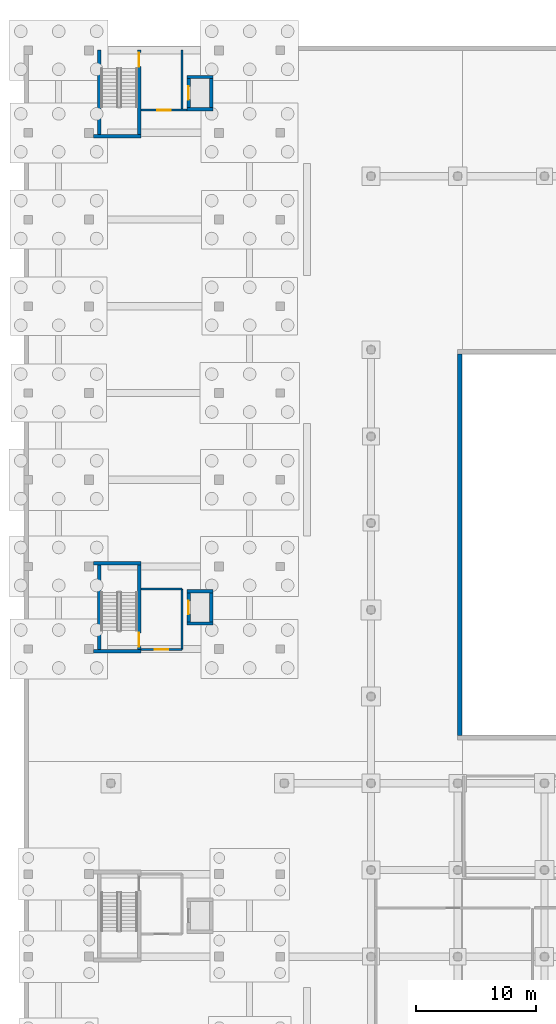
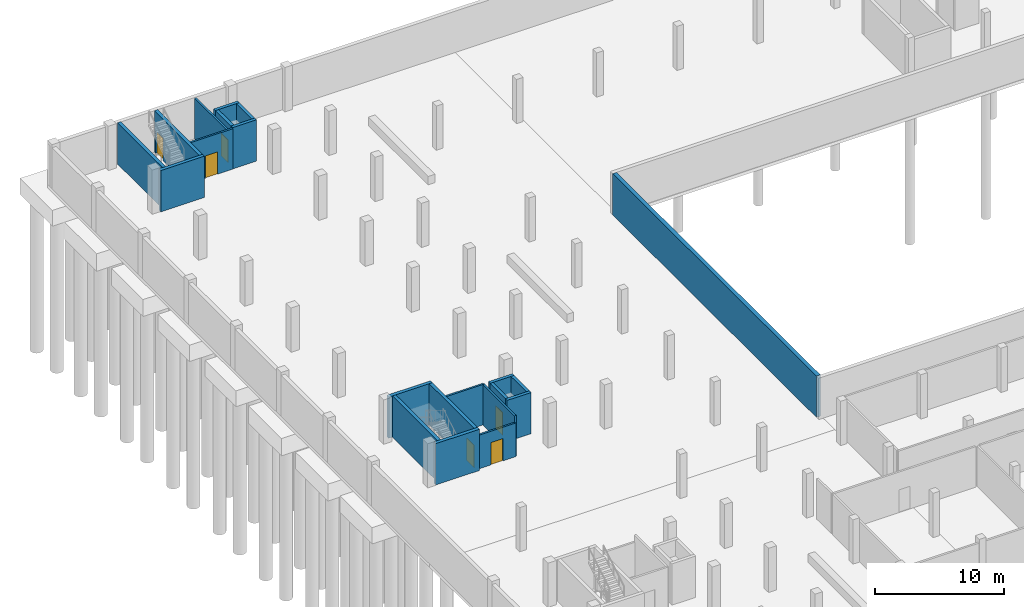
# One storey, part 22 of 36: 21 walls, 6 doors, 6 openings.
"""IFC4 building model written with IfcOpenShell, lengths in metres."""

import ifcopenshell
import ifcopenshell.guid

model = None  # the IFC model being written
_history = None  # IfcOwnerHistory: only IFC2X3 demands one
_inside = {}  # id of a spatial element -> (the spatial element, [elements in it])
_under = {}  # id of a project, library or spatial element -> (it, [spatial elements below it])
_declared = {}  # id of a project -> (the project, [libraries it declares])
_typed = {}  # id of a type object -> (the type object, [elements of that type])
_made_of = {}  # id of a material, layer set ... -> (it, [elements and type objects made of it])


def new_model(schema):
    """Start an empty IFC model of exactly this schema.

    Asked for "IFC4X3", IfcOpenShell would pick the latest addendum, in which some entities
    have other attributes; the version numbers below select the first issue.
    IFC2X3 requires an IfcOwnerHistory on every rooted entity: one is made here for all.
    """
    global model, _history
    if schema == "IFC4X3":
        model = ifcopenshell.file(schema_version=(4, 3, 0, 0))
    else:
        model = ifcopenshell.file(schema=schema)
    _inside.clear()
    _under.clear()
    _declared.clear()
    _typed.clear()
    _made_of.clear()
    _history = None
    if model.schema == "IFC2X3":
        org = make("IfcOrganization", Name="unknown")
        user = make(
            "IfcPersonAndOrganization",
            ThePerson=make("IfcPerson", FamilyName="unknown"),
            TheOrganization=org,
        )
        app = make(
            "IfcApplication",
            ApplicationDeveloper=org,
            Version="unknown",
            ApplicationFullName="unknown",
            ApplicationIdentifier="unknown",
        )
        _history = make(
            "IfcOwnerHistory",
            OwningUser=user,
            OwningApplication=app,
            ChangeAction="ADDED",
            CreationDate=0,
        )
    return model


def make(cls, **values):
    """One entity of the class cls with the attributes given. An attribute that is None is left unset."""
    return model.create_entity(
        cls, **{name: value for name, value in values.items() if value is not None}
    )


def rooted(cls, **values):
    """An entity with a GlobalId (a new one), such as an element, a storey or a relation."""
    return make(cls, GlobalId=ifcopenshell.guid.new(), OwnerHistory=_history, **values)


def si_unit(unit_type, name, prefix=None):
    """IfcSIUnit, for example si_unit("LENGTHUNIT", "METRE", prefix="MILLI")."""
    return make("IfcSIUnit", UnitType=unit_type, Prefix=prefix, Name=name)


def derived_unit(unit_type, elements):
    """IfcDerivedUnit: a product of units, each with its exponent."""
    return make(
        "IfcDerivedUnit",
        Elements=[
            make("IfcDerivedUnitElement", Unit=unit, Exponent=power)
            for unit, power in elements
        ],
        UnitType=unit_type,
    )


def assignment(units):
    """IfcUnitAssignment: the units of a project."""
    return None if units is None else make("IfcUnitAssignment", Units=units)


def point(xyz):
    """IfcCartesianPoint."""
    return None if xyz is None else make("IfcCartesianPoint", Coordinates=xyz)


def direction(xyz):
    """IfcDirection."""
    return None if xyz is None else make("IfcDirection", DirectionRatios=xyz)


def frame(location, z_axis=None, x_axis=None):
    """IfcAxis2Placement3D, a coordinate frame: its origin and axes. An axis left out is left unset."""
    return make(
        "IfcAxis2Placement3D",
        Location=point(location),
        Axis=direction(z_axis),
        RefDirection=direction(x_axis),
    )


def frame_2d(location, x_axis=None):
    """IfcAxis2Placement2D, a coordinate frame in the plane: its origin and x axis."""
    return make(
        "IfcAxis2Placement2D", Location=point(location), RefDirection=direction(x_axis)
    )


def origin():
    """The frame at (0, 0, 0) with its axes left unset."""
    return frame((0.0, 0.0, 0.0))


def place(relative_to, where):
    """IfcLocalPlacement: puts the frame where relative to a parent placement (None: the world)."""
    return make(
        "IfcLocalPlacement", PlacementRelTo=relative_to, RelativePlacement=where
    )


def context(
    kind, dimensions, precision=None, world=None, true_north=None, identifier=None
):
    """IfcGeometricRepresentationContext, for example the 3D "Model" context."""
    return make(
        "IfcGeometricRepresentationContext",
        ContextIdentifier=identifier,
        ContextType=kind,
        CoordinateSpaceDimension=dimensions,
        Precision=precision,
        WorldCoordinateSystem=world,
        TrueNorth=true_north,
    )


def subcontext(parent, identifier, kind, view, scale=None):
    """IfcGeometricRepresentationSubContext, for example "Body" below "Model"."""
    return make(
        "IfcGeometricRepresentationSubContext",
        ContextIdentifier=identifier,
        ContextType=kind,
        ParentContext=parent,
        TargetScale=scale,
        TargetView=view,
    )


def project(units=None, contexts=None):
    """IfcProject with its units and contexts."""
    return rooted(
        "IfcProject",
        Name="project",
        RepresentationContexts=contexts,
        UnitsInContext=assignment(units),
    )


def spatial(cls, under=None, at=None, **own):
    """A site, building, storey or space (cls), placed at a placement, below another one or the project."""
    s = rooted(cls, ObjectPlacement=at, **own)
    if under is not None:
        _under.setdefault(under.id(), (under, []))[1].append(s)
    return s


def profile(cls, at=None, kind="AREA", **sizes):
    """A parametric profile (cls). Its sizes go by their IFC names, for example OverallWidth=200.0."""
    return make(cls, ProfileType=kind, Position=at, **sizes)


def rectangle(**sizes):
    """IfcRectangleProfileDef."""
    return profile("IfcRectangleProfileDef", **sizes)


def extrude(swept, where, along, depth):
    """IfcExtrudedAreaSolid: the profile swept, set in the frame where, extruded along a direction by depth."""
    return make(
        "IfcExtrudedAreaSolid",
        SweptArea=swept,
        Position=where,
        ExtrudedDirection=direction(along),
        Depth=depth,
    )


def shape(context_of_items, identifier, shape_type, items):
    """IfcShapeRepresentation: the items that make up one representation, for example the "Body"."""
    return make(
        "IfcShapeRepresentation",
        ContextOfItems=context_of_items,
        RepresentationIdentifier=identifier,
        RepresentationType=shape_type,
        Items=items,
    )


def material(Name=None, Category=None):
    """IfcMaterial."""
    return make("IfcMaterial", Name=Name, Category=Category)


def layer(
    of_material, thickness, ventilated=None, Name=None, Category=None, Priority=None
):
    """IfcMaterialLayer: one layer of a wall or slab, of a material (None: an air gap)."""
    return make(
        "IfcMaterialLayer",
        Material=of_material,
        LayerThickness=thickness,
        IsVentilated=ventilated,
        Name=Name,
        Category=Category,
        Priority=Priority,
    )


def layer_set(layers, Name=None):
    """IfcMaterialLayerSet."""
    return make("IfcMaterialLayerSet", MaterialLayers=layers, LayerSetName=Name)


def made_of(thing, what):
    """Note that an element or type object is made of a material, layer set ...; save() writes the relation."""
    if what is not None:
        _made_of.setdefault(what.id(), (what, []))[1].append(thing)
    return thing


def type_object(cls, material=None, **own):
    """A type object (cls), such as IfcWallType, which elements share."""
    return made_of(rooted(cls, **own), material)


def element(
    cls,
    number,
    at=None,
    inside=None,
    cuts=None,
    type_object=None,
    material=None,
    context=None,
    identifier="Body",
    shape_type=None,
    held_by="IfcProductDefinitionShape",
    body=None,
    shapes=None,
    **own,
):
    """One element of the class cls, such as IfcWall. Its Tag is "e" and its number.

    at: its placement. inside: the storey or other place that contains it. cuts: it is an
    opening in that element (IfcRelVoidsElement). A single representation is given by context,
    identifier, shape_type and body (its items); several are given by shapes. held_by: the class
    of the entity that holds the representations. save() writes the other relations.
    """
    e = rooted(cls, Tag="e%d" % number, ObjectPlacement=at, **own)
    if body is not None:
        shapes = [shape(context, identifier, shape_type, body)]
    if shapes is not None:
        e.Representation = make(held_by, Representations=shapes)
    if inside is not None:
        _inside.setdefault(inside.id(), (inside, []))[1].append(e)
    if cuts is not None:
        rooted(
            "IfcRelVoidsElement", RelatingBuildingElement=cuts, RelatedOpeningElement=e
        )
    if type_object is not None:
        _typed.setdefault(type_object.id(), (type_object, []))[1].append(e)
    return made_of(e, material)


def fill(opening, filler):
    """IfcRelFillsElement: the door or window that sits in an opening."""
    return rooted(
        "IfcRelFillsElement",
        RelatingOpeningElement=opening,
        RelatedBuildingElement=filler,
    )


def aggregate(whole, parts):
    """IfcRelAggregates: a whole, such as a stair, and the parts it consists of."""
    return rooted("IfcRelAggregates", RelatingObject=whole, RelatedObjects=parts)


def save(model, path):
    """Write the relations noted so far, then the file.

    IfcRelAggregates (storeys below a building ...), IfcRelContainedInSpatialStructure (elements
    in a storey), IfcRelDefinesByType, IfcRelAssociatesMaterial and IfcRelDeclares: one each for
    every whole, place, type object, material and project.
    """
    for whole, parts in _under.values():
        aggregate(whole, parts)
    for where, things in _inside.values():
        rooted(
            "IfcRelContainedInSpatialStructure",
            RelatedElements=things,
            RelatingStructure=where,
        )
    for kind, things in _typed.values():
        rooted("IfcRelDefinesByType", RelatedObjects=things, RelatingType=kind)
    for what, things in _made_of.values():
        rooted("IfcRelAssociatesMaterial", RelatedObjects=things, RelatingMaterial=what)
    for by, libraries in _declared.values():
        rooted("IfcRelDeclares", RelatingContext=by, RelatedDefinitions=libraries)
    model.write(path)


model = new_model("IFC4")

# Units and contexts
model_context = context("Model", 3, precision=1e-05, world=origin(), true_north=direction((0.0, 1.0)))
body_context = subcontext(model_context, "Body", "Model", "MODEL_VIEW")
ifc_project = project(units=[si_unit("LENGTHUNIT", "METRE"), si_unit("AREAUNIT", "SQUARE_METRE"), si_unit("VOLUMEUNIT", "CUBIC_METRE"), si_unit("PLANEANGLEUNIT", "RADIAN"), si_unit("MASSUNIT", "GRAM", prefix="KILO"), derived_unit("THERMALTRANSMITTANCEUNIT", [(si_unit("MASSUNIT", "GRAM", prefix="KILO"), 1), (si_unit("TIMEUNIT", "SECOND"), -3), (si_unit("THERMODYNAMICTEMPERATUREUNIT", "KELVIN"), -1)])], contexts=[model_context])

# Site, building, storey
site_placement = place(None, origin())
site = spatial("IfcSite", under=ifc_project, at=site_placement, CompositionType="ELEMENT")
building_placement = place(site_placement, origin())
building = spatial("IfcBuilding", under=site, at=building_placement, Name="Ochrekiln Boulevard Commons", CompositionType="ELEMENT")
storey_placement = place(building_placement, frame((0.0, 0.0, -4.199951171875)))
storey = spatial("IfcBuildingStorey", under=building, at=storey_placement, Name="B1", CompositionType="ELEMENT", Elevation=-4.199951171875)

# Wall
ifc_material_1 = material(Name="Concrete C35/45", Category="concrete")
ifc_layer_1 = layer(ifc_material_1, 0.35009765625)
ifc_layer_set_1 = layer_set([ifc_layer_1], Name="Concrete C35/45")
wall_type_1 = type_object("IfcWallType", Name="WL-B1-RET-350", PredefinedType="SOLIDWALL", material=ifc_layer_set_1)
wall_1_placement = place(storey_placement, frame((36.175048828125, 61.550048828125, 0.0), z_axis=(0.0, 0.0, 1.0), x_axis=(0.0, 1.0, 0.0)))
element("IfcWall", 1, at=wall_1_placement, inside=storey, type_object=wall_type_1, Name="B1 Courtyard Soil-Core Retaining W Exterior Wall", PredefinedType="SOLIDWALL", context=body_context, shape_type="SweptSolid", body=[
    extrude(rectangle(XDim=31.699951171875, YDim=0.35009765625, at=frame_2d((15.85009765625, 0.0))), origin(), (0.0, 0.0, 1.0), 3.919921875),
])

# Wall, opening, door
ifc_material_2 = material(Name="Fire-rated Type X gypsum board on steel studs", Category="steel")
ifc_layer_2 = layer(ifc_material_2, 0.169921875)
ifc_layer_set_2 = layer_set([ifc_layer_2], Name="Fire-rated Type X gypsum board on steel studs")
wall_type_2 = type_object("IfcWallType", Name="WL-PT-CIV-170", PredefinedType="PARTITIONING", material=ifc_layer_set_2)
wall_2_placement = place(storey_placement, frame((9.699951171875, 68.719970703125, 0.0), z_axis=(0.0, 0.0, 1.0), x_axis=(1.0, 0.0, 0.0)))
wall_2 = element("IfcWall", 2, at=wall_2_placement, inside=storey, type_object=wall_type_2, Name="B1 Interior Wall W-PV170", PredefinedType="PARTITIONING", context=body_context, shape_type="SweptSolid", body=[
    extrude(rectangle(XDim=3.400146484375, YDim=0.169921875, at=frame_2d((1.7001953125, 0.0))), origin(), (0.0, 0.0, 1.0), 3.18994140625),
])
opening_1_placement = place(wall_2_placement, frame((1.14990234375, 0.0, 0.0)))
opening_1 = element("IfcOpeningElement", 3, at=opening_1_placement, cuts=wall_2, Name="Opening D-B1-1382", PredefinedType="OPENING", context=body_context, shape_type="SweptSolid", body=[
    extrude(rectangle(XDim=1.10009765625, YDim=2.1201171875, at=frame_2d((0.550048828125, 1.06005859375))), frame((0.0, 0.094970703125, 0.0), z_axis=(0.0, -1.0, 0.0), x_axis=(1.0, 0.0, 0.0)), (0.0, 0.0, 1.0), 0.18994140625),
])
ifc_material_3 = material(Name="Hollow metal fire-rated steel door assembly", Category="steel")
door_type_1 = type_object("IfcDoorType", Name="DR-LOBBY-60", OperationType="NOTDEFINED", PredefinedType="DOOR", material=ifc_material_3)
door_1_placement = place(opening_1_placement, origin())
door_1 = element("IfcDoor", 4, at=door_1_placement, inside=storey, type_object=door_type_1, Name="B1 Interior Door to Fire Service Access Elevator Lobby", OperationType="SINGLE_SWING_RIGHT", OverallHeight=2.1201171875, OverallWidth=1.10009765625, PredefinedType="DOOR", context=body_context, shape_type="SweptSolid", body=[
    extrude(rectangle(XDim=1.10009765625, YDim=2.1201171875, at=frame_2d((0.550048828125, 1.06005859375))), frame((0.0, 0.02490234375, 0.0), z_axis=(0.0, -1.0, 0.0), x_axis=(1.0, 0.0, 0.0)), (0.0, 0.0, 1.0), 0.050048828125),
])
fill(opening_1, door_1)

# Walls
wall_3_placement = place(storey_placement, frame((9.699951171875, 73.719970703125, 0.0), z_axis=(0.0, 0.0, 1.0), x_axis=(1.0, 0.0, 0.0)))
element("IfcWall", 5, at=wall_3_placement, inside=storey, type_object=wall_type_2, Name="B1 Interior Wall W-PV170", PredefinedType="PARTITIONING", context=body_context, shape_type="SweptSolid", body=[
    extrude(rectangle(XDim=3.400146484375, YDim=0.169921875, at=frame_2d((1.7001953125, 0.0))), origin(), (0.0, 0.0, 1.0), 3.83984375),
])
wall_4_placement = place(storey_placement, frame((13.10009765625, 68.719970703125, 0.0), z_axis=(0.0, 0.0, 1.0), x_axis=(0.0, 1.0, 0.0)))
element("IfcWall", 6, at=wall_4_placement, inside=storey, type_object=wall_type_2, Name="B1 Interior Wall W-PV170", PredefinedType="PARTITIONING", context=body_context, shape_type="SweptSolid", body=[
    extrude(rectangle(XDim=5.0, YDim=0.169921875, at=frame_2d((2.5, 0.0))), origin(), (0.0, 0.0, 1.0), 3.83984375),
])

# Wall, opening, door
wall_5_placement = place(storey_placement, frame((9.699951171875, 113.47998046875, 0.0), z_axis=(0.0, 0.0, 1.0), x_axis=(1.0, 0.0, 0.0)))
wall_5 = element("IfcWall", 7, at=wall_5_placement, inside=storey, type_object=wall_type_2, Name="B1 Interior Wall W-PV170", PredefinedType="PARTITIONING", context=body_context, shape_type="SweptSolid", body=[
    extrude(rectangle(XDim=3.824951171875, YDim=0.169921875, at=frame_2d((1.91259765625, 0.0))), origin(), (0.0, 0.0, 1.0), 3.83984375),
])
opening_2_placement = place(wall_5_placement, frame((1.363037109375, 0.0, 0.0)))
opening_2 = element("IfcOpeningElement", 8, at=opening_2_placement, cuts=wall_5, Name="Opening D-B1-1383", PredefinedType="OPENING", context=body_context, shape_type="SweptSolid", body=[
    extrude(rectangle(XDim=1.10009765625, YDim=2.1201171875, at=frame_2d((0.550048828125, 1.06005859375))), frame((0.0, 0.094970703125, 0.0), z_axis=(0.0, -1.0, 0.0), x_axis=(1.0, 0.0, 0.0)), (0.0, 0.0, 1.0), 0.18994140625),
])
door_2_placement = place(opening_2_placement, origin())
door_2 = element("IfcDoor", 9, at=door_2_placement, inside=storey, type_object=door_type_1, Name="B1 Interior Door to Fire Service Access Elevator Lobby", OperationType="SINGLE_SWING_LEFT", OverallHeight=2.1201171875, OverallWidth=1.10009765625, PredefinedType="DOOR", context=body_context, shape_type="SweptSolid", body=[
    extrude(rectangle(XDim=1.10009765625, YDim=2.1201171875, at=frame_2d((0.550048828125, 1.06005859375))), frame((0.0, 0.02490234375, 0.0), z_axis=(0.0, -1.0, 0.0), x_axis=(1.0, 0.0, 0.0)), (0.0, 0.0, 1.0), 0.050048828125),
])
fill(opening_2, door_2)

# Walls
wall_6_placement = place(storey_placement, frame((13.10009765625, 113.47998046875, 0.0), z_axis=(0.0, 0.0, 1.0), x_axis=(0.0, 1.0, 0.0)))
element("IfcWall", 10, at=wall_6_placement, inside=storey, type_object=wall_type_2, Name="B1 Interior Wall W-PV170", PredefinedType="PARTITIONING", context=body_context, shape_type="SweptSolid", body=[
    extrude(rectangle(XDim=5.0, YDim=0.169921875, at=frame_2d((2.5, 0.0))), origin(), (0.0, 0.0, 1.0), 3.83984375),
])
ifc_material_4 = material(Name="Concrete C40/50", Category="concrete")
ifc_layer_3 = layer(ifc_material_4, 0.27490234375)
ifc_layer_set_3 = layer_set([ifc_layer_3], Name="Concrete C40/50")
wall_type_3 = type_object("IfcWallType", Name="WL-SH-275", PredefinedType="SHEAR", material=ifc_layer_set_3)
for number, where, z_axis, x_axis, name in (
    (11, (13.52490234375, 70.862548828125, 0.0), (0.0, 0.0, 1.0), (1.0, 0.0, 0.0), "Elevator FF-A1 B1 Hoistway Shear Wall"),
    (12, (13.52490234375, 73.53759765625, 0.0), (0.0, 0.0, 1.0), (1.0, 0.0, 0.0), "Elevator FF-A1 B1 Hoistway Shear Wall"),
):
    element("IfcWall", number, at=place(storey_placement, frame(where, z_axis=z_axis, x_axis=x_axis)), inside=storey, type_object=wall_type_3, Name=name, PredefinedType="SHEAR", context=body_context, shape_type="SweptSolid", body=[
        extrude(rectangle(XDim=2.150146484375, YDim=0.27490234375, at=frame_2d((1.0751953125, 0.0))), origin(), (0.0, 0.0, 1.0), 3.919921875),
    ])

# Wall, opening, door
wall_7_placement = place(storey_placement, frame((13.66259765625, 71.0, 0.0), z_axis=(0.0, 0.0, 1.0), x_axis=(0.0, 1.0, 0.0)))
wall_7 = element("IfcWall", 13, at=wall_7_placement, inside=storey, type_object=wall_type_3, Name="Elevator FF-A1 B1 Hoistway Shear Wall", PredefinedType="SHEAR", context=body_context, shape_type="SweptSolid", body=[
    extrude(rectangle(XDim=2.39990234375, YDim=0.27490234375, at=frame_2d((1.199951171875, 0.0))), origin(), (0.0, 0.0, 1.0), 3.919921875),
])
opening_3_placement = place(wall_7_placement, frame((0.64990234375, 0.0, 0.0)))
opening_3 = element("IfcOpeningElement", 14, at=opening_3_placement, cuts=wall_7, Name="Opening LD-FF-A1-B1", PredefinedType="OPENING", context=body_context, shape_type="SweptSolid", body=[
    extrude(rectangle(XDim=1.10009765625, YDim=2.14990234375, at=frame_2d((0.550048828125, 1.074951171875))), frame((0.0, 0.1474609375, 0.0), z_axis=(0.0, -1.0, 0.0), x_axis=(1.0, 0.0, 0.0)), (0.0, 0.0, 1.0), 0.294921875),
])
ifc_material_5 = material(Name="Brushed stainless steel 316 elevator cab and doors", Category="steel")
door_type_2 = type_object("IfcDoorType", Name="DR-LIFT-LD90", OperationType="SLIDING_TO_LEFT", PredefinedType="DOOR", material=ifc_material_5)
door_3_placement = place(opening_3_placement, origin())
door_3 = element("IfcDoor", 15, at=door_3_placement, inside=storey, type_object=door_type_2, Name="Elevator FF-A1 B1 Sliding Landing Door LD-FF-A1-B1", OperationType="SLIDING_TO_LEFT", OverallHeight=2.14990234375, OverallWidth=1.10009765625, PredefinedType="DOOR", context=body_context, shape_type="SweptSolid", body=[
    extrude(rectangle(XDim=1.10009765625, YDim=2.14990234375, at=frame_2d((0.550048828125, 1.074951171875))), frame((0.0, 0.02490234375, 0.0), z_axis=(0.0, -1.0, 0.0), x_axis=(1.0, 0.0, 0.0)), (0.0, 0.0, 1.0), 0.050048828125),
])
fill(opening_3, door_3)

# Walls
wall_8_placement = place(storey_placement, frame((15.53759765625, 71.0, 0.0), z_axis=(0.0, 0.0, 1.0), x_axis=(0.0, 1.0, 0.0)))
element("IfcWall", 16, at=wall_8_placement, inside=storey, type_object=wall_type_3, Name="Elevator FF-A1 B1 Hoistway Shear Wall", PredefinedType="SHEAR", context=body_context, shape_type="SweptSolid", body=[
    extrude(rectangle(XDim=2.39990234375, YDim=0.27490234375, at=frame_2d((1.199951171875, 0.0))), origin(), (0.0, 0.0, 1.0), 3.919921875),
])
for number, where, z_axis, x_axis, name in (
    (17, (13.52490234375, 113.5625, 0.0), (0.0, 0.0, 1.0), (1.0, 0.0, 0.0), "Elevator FF-A2 B1 Hoistway Shear Wall"),
    (18, (13.52490234375, 116.237548828125, 0.0), (0.0, 0.0, 1.0), (1.0, 0.0, 0.0), "Elevator FF-A2 B1 Hoistway Shear Wall"),
):
    element("IfcWall", number, at=place(storey_placement, frame(where, z_axis=z_axis, x_axis=x_axis)), inside=storey, type_object=wall_type_3, Name=name, PredefinedType="SHEAR", context=body_context, shape_type="SweptSolid", body=[
        extrude(rectangle(XDim=2.150146484375, YDim=0.27490234375, at=frame_2d((1.0751953125, 0.0))), origin(), (0.0, 0.0, 1.0), 3.919921875),
    ])

# Wall, opening, door
wall_9_placement = place(storey_placement, frame((13.66259765625, 113.699951171875, 0.0), z_axis=(0.0, 0.0, 1.0), x_axis=(0.0, 1.0, 0.0)))
wall_9 = element("IfcWall", 19, at=wall_9_placement, inside=storey, type_object=wall_type_3, Name="Elevator FF-A2 B1 Hoistway Shear Wall", PredefinedType="SHEAR", context=body_context, shape_type="SweptSolid", body=[
    extrude(rectangle(XDim=2.400146484375, YDim=0.27490234375, at=frame_2d((1.2001953125, 0.0))), origin(), (0.0, 0.0, 1.0), 3.919921875),
])
opening_4_placement = place(wall_9_placement, frame((0.64990234375, 0.0, 0.0)))
opening_4 = element("IfcOpeningElement", 20, at=opening_4_placement, cuts=wall_9, Name="Opening LD-FF-A2-B1", PredefinedType="OPENING", context=body_context, shape_type="SweptSolid", body=[
    extrude(rectangle(XDim=1.10009765625, YDim=2.14990234375, at=frame_2d((0.550048828125, 1.074951171875))), frame((0.0, 0.1474609375, 0.0), z_axis=(0.0, -1.0, 0.0), x_axis=(1.0, 0.0, 0.0)), (0.0, 0.0, 1.0), 0.294921875),
])
door_4_placement = place(opening_4_placement, origin())
door_4 = element("IfcDoor", 21, at=door_4_placement, inside=storey, type_object=door_type_2, Name="Elevator FF-A2 B1 Sliding Landing Door LD-FF-A2-B1", OperationType="SLIDING_TO_LEFT", OverallHeight=2.14990234375, OverallWidth=1.10009765625, PredefinedType="DOOR", context=body_context, shape_type="SweptSolid", body=[
    extrude(rectangle(XDim=1.10009765625, YDim=2.14990234375, at=frame_2d((0.550048828125, 1.074951171875))), frame((0.0, 0.02490234375, 0.0), z_axis=(0.0, -1.0, 0.0), x_axis=(1.0, 0.0, 0.0)), (0.0, 0.0, 1.0), 0.050048828125),
])
fill(opening_4, door_4)

# Walls
wall_10_placement = place(storey_placement, frame((15.53759765625, 113.699951171875, 0.0), z_axis=(0.0, 0.0, 1.0), x_axis=(0.0, 1.0, 0.0)))
element("IfcWall", 22, at=wall_10_placement, inside=storey, type_object=wall_type_3, Name="Elevator FF-A2 B1 Hoistway Shear Wall", PredefinedType="SHEAR", context=body_context, shape_type="SweptSolid", body=[
    extrude(rectangle(XDim=2.400146484375, YDim=0.27490234375, at=frame_2d((1.2001953125, 0.0))), origin(), (0.0, 0.0, 1.0), 3.919921875),
])
ifc_layer_4 = layer(ifc_material_4, 0.300048828125)
ifc_layer_set_4 = layer_set([ifc_layer_4], Name="Concrete C40/50")
wall_type_4 = type_object("IfcWallType", Name="WL-SH-300", PredefinedType="SHEAR", material=ifc_layer_set_4)
for number, where, z_axis, x_axis, name in (
    (23, (5.77490234375, 68.570068359375, 0.0), (0.0, 0.0, 1.0), (1.0, 0.0, 0.0), "Stair ST-A1 B1 Core Shear Wall S"),
    (24, (5.77490234375, 75.8701171875, 0.0), (0.0, 0.0, 1.0), (1.0, 0.0, 0.0), "Stair ST-A1 B1 Core Shear Wall N"),
):
    element("IfcWall", number, at=place(storey_placement, frame(where, z_axis=z_axis, x_axis=x_axis)), inside=storey, type_object=wall_type_4, Name=name, PredefinedType="SHEAR", context=body_context, shape_type="SweptSolid", body=[
        extrude(rectangle(XDim=3.925048828125, YDim=0.300048828125, at=frame_2d((1.96240234375, 0.0))), origin(), (0.0, 0.0, 1.0), 3.919921875),
    ])
wall_11_placement = place(storey_placement, frame((6.25, 68.719970703125, 0.0), z_axis=(0.0, 0.0, 1.0), x_axis=(0.0, 1.0, 0.0)))
element("IfcWall", 25, at=wall_11_placement, inside=storey, type_object=wall_type_4, Name="Stair ST-A1 B1 Core Shear Wall W", PredefinedType="SHEAR", context=body_context, shape_type="SweptSolid", body=[
    extrude(rectangle(XDim=7.0, YDim=0.300048828125, at=frame_2d((3.5, 0.0))), origin(), (0.0, 0.0, 1.0), 3.919921875),
])

# Wall, opening, door
wall_12_placement = place(storey_placement, frame((9.550048828125, 68.719970703125, 0.0), z_axis=(0.0, 0.0, 1.0), x_axis=(0.0, 1.0, 0.0)))
wall_12 = element("IfcWall", 26, at=wall_12_placement, inside=storey, type_object=wall_type_4, Name="Stair ST-A1 B1 Core Shear Wall E", PredefinedType="SHEAR", context=body_context, shape_type="SweptSolid", body=[
    extrude(rectangle(XDim=7.0, YDim=0.300048828125, at=frame_2d((3.5, 0.0))), origin(), (0.0, 0.0, 1.0), 3.919921875),
])
opening_5_placement = place(wall_12_placement, frame((0.22509765625, 0.0, 0.0)))
opening_5 = element("IfcOpeningElement", 27, at=opening_5_placement, cuts=wall_12, Name="Opening D-B1-ST-A1", PredefinedType="OPENING", context=body_context, shape_type="SweptSolid", body=[
    extrude(rectangle(XDim=1.14990234375, YDim=2.1201171875, at=frame_2d((0.574951171875, 1.06005859375))), frame((0.0, 0.159912109375, 0.0), z_axis=(0.0, -1.0, 0.0), x_axis=(1.0, 0.0, 0.0)), (0.0, 0.0, 1.0), 0.320068359375),
])
door_type_3 = type_object("IfcDoorType", Name="DR-STAIR-90", OperationType="NOTDEFINED", PredefinedType="DOOR", material=ifc_material_3)
door_5_placement = place(opening_5_placement, origin())
door_5 = element("IfcDoor", 28, at=door_5_placement, inside=storey, type_object=door_type_3, Name="Enclosed Exit Stair ST-A1 B1 Rated Door", OperationType="SINGLE_SWING_LEFT", OverallHeight=2.1201171875, OverallWidth=1.14990234375, PredefinedType="DOOR", context=body_context, shape_type="SweptSolid", body=[
    extrude(rectangle(XDim=1.14990234375, YDim=2.1201171875, at=frame_2d((0.574951171875, 1.06005859375))), frame((0.0, 0.02490234375, 0.0), z_axis=(0.0, -1.0, 0.0), x_axis=(1.0, 0.0, 0.0)), (0.0, 0.0, 1.0), 0.050048828125),
])
fill(opening_5, door_5)

# Walls
wall_13_placement = place(storey_placement, frame((5.77490234375, 111.330078125, 0.0), z_axis=(0.0, 0.0, 1.0), x_axis=(1.0, 0.0, 0.0)))
element("IfcWall", 29, at=wall_13_placement, inside=storey, type_object=wall_type_4, Name="Stair ST-A2 B1 Core Shear Wall S", PredefinedType="SHEAR", context=body_context, shape_type="SweptSolid", body=[
    extrude(rectangle(XDim=3.925048828125, YDim=0.300048828125, at=frame_2d((1.96240234375, 0.0))), origin(), (0.0, 0.0, 1.0), 3.919921875),
])
wall_14_placement = place(storey_placement, frame((6.25, 111.47998046875, 0.0), z_axis=(0.0, 0.0, 1.0), x_axis=(0.0, 1.0, 0.0)))
element("IfcWall", 30, at=wall_14_placement, inside=storey, type_object=wall_type_4, Name="Stair ST-A2 B1 Core Shear Wall W", PredefinedType="SHEAR", context=body_context, shape_type="SweptSolid", body=[
    extrude(rectangle(XDim=7.0, YDim=0.300048828125, at=frame_2d((3.5, 0.0))), origin(), (0.0, 0.0, 1.0), 3.919921875),
])

# Wall, opening, door
wall_15_placement = place(storey_placement, frame((9.550048828125, 111.47998046875, 0.0), z_axis=(0.0, 0.0, 1.0), x_axis=(0.0, 1.0, 0.0)))
wall_15 = element("IfcWall", 31, at=wall_15_placement, inside=storey, type_object=wall_type_4, Name="Stair ST-A2 B1 Core Shear Wall E", PredefinedType="SHEAR", context=body_context, shape_type="SweptSolid", body=[
    extrude(rectangle(XDim=7.0, YDim=0.300048828125, at=frame_2d((3.5, 0.0))), origin(), (0.0, 0.0, 1.0), 3.919921875),
])
opening_6_placement = place(wall_15_placement, frame((5.625, 0.0, 0.0)))
opening_6 = element("IfcOpeningElement", 32, at=opening_6_placement, cuts=wall_15, Name="Opening D-B1-ST-A2", PredefinedType="OPENING", context=body_context, shape_type="SweptSolid", body=[
    extrude(rectangle(XDim=1.14990234375, YDim=2.1201171875, at=frame_2d((0.574951171875, 1.06005859375))), frame((0.0, 0.159912109375, 0.0), z_axis=(0.0, -1.0, 0.0), x_axis=(1.0, 0.0, 0.0)), (0.0, 0.0, 1.0), 0.320068359375),
])
door_6_placement = place(opening_6_placement, origin())
door_6 = element("IfcDoor", 33, at=door_6_placement, inside=storey, type_object=door_type_3, Name="Enclosed Exit Stair ST-A2 B1 Rated Door", OperationType="SINGLE_SWING_LEFT", OverallHeight=2.1201171875, OverallWidth=1.14990234375, PredefinedType="DOOR", context=body_context, shape_type="SweptSolid", body=[
    extrude(rectangle(XDim=1.14990234375, YDim=2.1201171875, at=frame_2d((0.574951171875, 1.06005859375))), frame((0.0, 0.02490234375, 0.0), z_axis=(0.0, -1.0, 0.0), x_axis=(1.0, 0.0, 0.0)), (0.0, 0.0, 1.0), 0.050048828125),
])
fill(opening_6, door_6)

save(model, "model.ifc")
